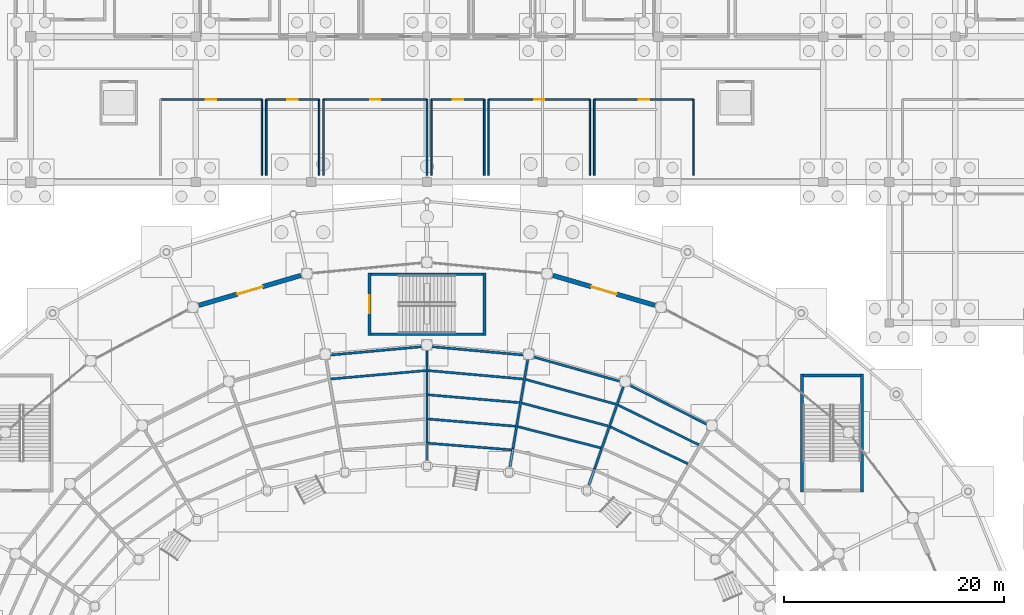
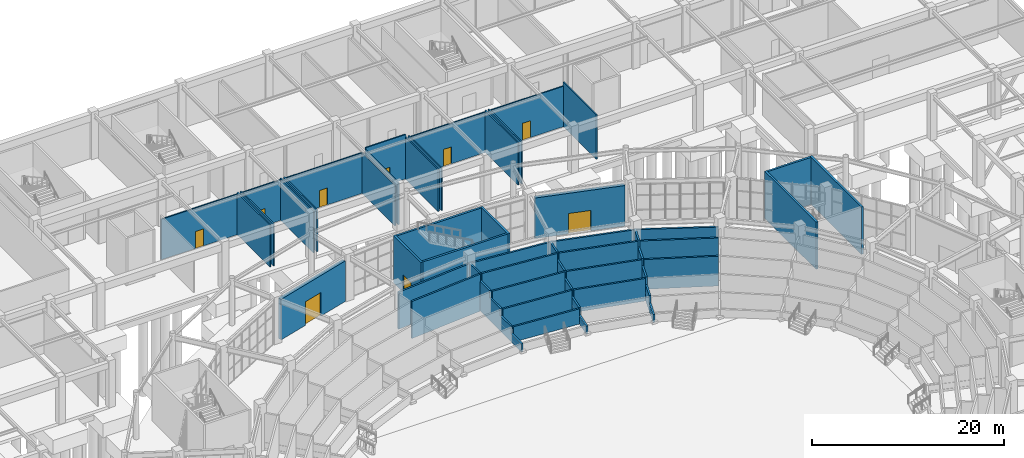
# One storey, part 89 of 121: 43 walls, 9 doors, 9 openings.
"""IFC4 building model written with IfcOpenShell, lengths in metres."""

from ifc_helpers import new_model, si_unit, direction, frame, frame_2d, origin, place, context, subcontext, project, spatial, polyline, rectangle, outline, extrude, material, layer, layer_set, type_object, element, fill, save


model = new_model("IFC4")

# Units and contexts
model_context = context("Model", 3, precision=1e-05, world=origin(), true_north=direction((0.0, 1.0)))
body_context = subcontext(model_context, "Body", "Model", "MODEL_VIEW")
ifc_project = project(units=[si_unit("LENGTHUNIT", "METRE"), si_unit("AREAUNIT", "SQUARE_METRE"), si_unit("VOLUMEUNIT", "CUBIC_METRE"), si_unit("PLANEANGLEUNIT", "RADIAN"), si_unit("MASSUNIT", "GRAM", prefix="KILO")], contexts=[model_context])

# Site, building, storey
site_placement = place(None, origin())
site = spatial("IfcSite", under=ifc_project, at=site_placement, CompositionType="ELEMENT")
building_placement = place(site_placement, origin())
building = spatial("IfcBuilding", under=site, at=building_placement, Name="Cuetzalor Civic Arena", CompositionType="ELEMENT")
storey_placement = place(building_placement, origin())
storey = spatial("IfcBuildingStorey", under=building, at=storey_placement, Name="L00", CompositionType="ELEMENT", Elevation=0.0)

# Wall, opening, door
ifc_material_1 = material(Name="Acoustic steel-stud gypsum partition", Category="steel")
ifc_layer_1 = layer(ifc_material_1, 0.14990234375)
ifc_layer_set_1 = layer_set([ifc_layer_1], Name="Acoustic steel-stud gypsum partition")
wall_type_1 = type_object("IfcWallType", Name="AcousticGypsumPartition_150", PredefinedType="PARTITIONING", material=ifc_layer_set_1)
wall_1_placement = place(storey_placement, frame((-24.199951171875, 55.800048828125, 0.0), z_axis=(0.0, 0.0, 1.0), x_axis=(1.0, 0.0, 0.0)))
wall_1 = element("IfcWall", 1, at=wall_1_placement, inside=storey, type_object=wall_type_1, Name="Interior Partition IWALL:L00:0152", PredefinedType="PARTITIONING", context=body_context, shape_type="SweptSolid", body=[
    extrude(rectangle(XDim=9.199951171875, YDim=0.14990234375, at=frame_2d((4.60009765625, 0.0))), origin(), (0.0, 0.0, 1.0), 5.14208984375),
])
opening_1_placement = place(wall_1_placement, frame((4.125, 0.0, 0.0)))
opening_1 = element("IfcOpeningElement", 2, at=opening_1_placement, cuts=wall_1, Name="Opening ID-03", PredefinedType="OPENING", context=body_context, shape_type="SweptSolid", body=[
    extrude(rectangle(XDim=0.949951171875, YDim=2.14990234375, at=frame_2d((0.47509765625, 1.074951171875))), frame((0.0, 0.0849609375, 0.0), z_axis=(0.0, -1.0, 0.0), x_axis=(1.0, 0.0, 0.0)), (0.0, 0.0, 1.0), 0.169921875),
])
ifc_material_2 = material(Name="Painted steel frame and solid timber leaf", Category="steel")
door_type_1 = type_object("IfcDoorType", Name="InteriorSingleDoor_950x2150", OperationType="NOTDEFINED", PredefinedType="DOOR", material=ifc_material_2)
door_1_placement = place(opening_1_placement, origin())
door_1 = element("IfcDoor", 3, at=door_1_placement, inside=storey, type_object=door_type_1, Name="Door to Performer Dressing Suite 1", OperationType="SINGLE_SWING_RIGHT", OverallHeight=2.14990234375, OverallWidth=0.949951171875, PredefinedType="DOOR", context=body_context, shape_type="SweptSolid", body=[
    extrude(rectangle(XDim=0.949951171875, YDim=2.14990234375, at=frame_2d((0.47509765625, 1.074951171875))), frame((0.0, 0.02490234375, 0.0), z_axis=(0.0, -1.0, 0.0), x_axis=(1.0, 0.0, 0.0)), (0.0, 0.0, 1.0), 0.050048828125),
])
fill(opening_1, door_1)

# Wall
wall_2_placement = place(storey_placement, frame((-15.0, 55.800048828125, 0.0), z_axis=(0.0, 0.0, 1.0), x_axis=(0.0, -1.0, 0.0)))
element("IfcWall", 4, at=wall_2_placement, inside=storey, type_object=wall_type_1, Name="Interior Partition IWALL:L00:0153", PredefinedType="PARTITIONING", context=body_context, shape_type="SweptSolid", body=[
    extrude(rectangle(XDim=6.900146484375, YDim=0.14990234375, at=frame_2d((3.4501953125, 0.0))), origin(), (0.0, 0.0, 1.0), 5.320068359375),
])

# Wall, opening, door
wall_3_placement = place(storey_placement, frame((-14.60009765625, 55.800048828125, 0.0), z_axis=(0.0, 0.0, 1.0), x_axis=(1.0, 0.0, 0.0)))
wall_3 = element("IfcWall", 5, at=wall_3_placement, inside=storey, type_object=wall_type_1, Name="Interior Partition IWALL:L00:0155", PredefinedType="PARTITIONING", context=body_context, shape_type="SweptSolid", body=[
    extrude(rectangle(XDim=4.800048828125, YDim=0.14990234375, at=frame_2d((2.39990234375, 0.0))), origin(), (0.0, 0.0, 1.0), 5.14208984375),
])
opening_2_placement = place(wall_3_placement, frame((1.925048828125, 0.0, 0.0)))
opening_2 = element("IfcOpeningElement", 6, at=opening_2_placement, cuts=wall_3, Name="Opening ID-03", PredefinedType="OPENING", context=body_context, shape_type="SweptSolid", body=[
    extrude(rectangle(XDim=0.949951171875, YDim=2.14990234375, at=frame_2d((0.47509765625, 1.074951171875))), frame((0.0, 0.0849609375, 0.0), z_axis=(0.0, -1.0, 0.0), x_axis=(1.0, 0.0, 0.0)), (0.0, 0.0, 1.0), 0.169921875),
])
door_2_placement = place(opening_2_placement, origin())
door_2 = element("IfcDoor", 7, at=door_2_placement, inside=storey, type_object=door_type_1, Name="Door to Dressing En-Suite WC 1", OperationType="SINGLE_SWING_LEFT", OverallHeight=2.14990234375, OverallWidth=0.949951171875, PredefinedType="DOOR", context=body_context, shape_type="SweptSolid", body=[
    extrude(rectangle(XDim=0.949951171875, YDim=2.14990234375, at=frame_2d((0.47509765625, 1.074951171875))), frame((0.0, 0.02490234375, 0.0), z_axis=(0.0, -1.0, 0.0), x_axis=(1.0, 0.0, 0.0)), (0.0, 0.0, 1.0), 0.050048828125),
])
fill(opening_2, door_2)

# Walls
for number, where, z_axis, x_axis, name in (
    (8, (-9.800048828125, 55.800048828125, 0.0), (0.0, 0.0, 1.0), (0.0, -1.0, 0.0), "Interior Partition IWALL:L00:0156"),
    (9, (-14.60009765625, 48.89990234375, 0.0), (0.0, 0.0, 1.0), (0.0, 1.0, 0.0), "Interior Partition IWALL:L00:0157"),
):
    element("IfcWall", number, at=place(storey_placement, frame(where, z_axis=z_axis, x_axis=x_axis)), inside=storey, type_object=wall_type_1, Name=name, PredefinedType="PARTITIONING", context=body_context, shape_type="SweptSolid", body=[
        extrude(rectangle(XDim=6.900146484375, YDim=0.14990234375, at=frame_2d((3.4501953125, 0.0))), origin(), (0.0, 0.0, 1.0), 5.320068359375),
    ])

# Wall, opening, door
wall_4_placement = place(storey_placement, frame((-9.39990234375, 55.800048828125, 0.0), z_axis=(0.0, 0.0, 1.0), x_axis=(1.0, 0.0, 0.0)))
wall_4 = element("IfcWall", 10, at=wall_4_placement, inside=storey, type_object=wall_type_1, Name="Interior Partition IWALL:L00:0158", PredefinedType="PARTITIONING", context=body_context, shape_type="SweptSolid", body=[
    extrude(rectangle(XDim=9.39990234375, YDim=0.14990234375, at=frame_2d((4.699951171875, 0.0))), origin(), (0.0, 0.0, 1.0), 5.14208984375),
])
opening_3_placement = place(wall_4_placement, frame((4.22509765625, 0.0, 0.0)))
opening_3 = element("IfcOpeningElement", 11, at=opening_3_placement, cuts=wall_4, Name="Opening ID-03", PredefinedType="OPENING", context=body_context, shape_type="SweptSolid", body=[
    extrude(rectangle(XDim=0.949951171875, YDim=2.14990234375, at=frame_2d((0.47509765625, 1.074951171875))), frame((0.0, 0.0849609375, 0.0), z_axis=(0.0, -1.0, 0.0), x_axis=(1.0, 0.0, 0.0)), (0.0, 0.0, 1.0), 0.169921875),
])
door_3_placement = place(opening_3_placement, origin())
door_3 = element("IfcDoor", 12, at=door_3_placement, inside=storey, type_object=door_type_1, Name="Door to Performer Dressing Suite 2", OperationType="SINGLE_SWING_RIGHT", OverallHeight=2.14990234375, OverallWidth=0.949951171875, PredefinedType="DOOR", context=body_context, shape_type="SweptSolid", body=[
    extrude(rectangle(XDim=0.949951171875, YDim=2.14990234375, at=frame_2d((0.47509765625, 1.074951171875))), frame((0.0, 0.02490234375, 0.0), z_axis=(0.0, -1.0, 0.0), x_axis=(1.0, 0.0, 0.0)), (0.0, 0.0, 1.0), 0.050048828125),
])
fill(opening_3, door_3)

# Walls
wall_5_placement = place(storey_placement, frame((0.0, 55.800048828125, 0.0), z_axis=(0.0, 0.0, 1.0), x_axis=(0.0, -1.0, 0.0)))
element("IfcWall", 13, at=wall_5_placement, inside=storey, type_object=wall_type_1, Name="Interior Partition IWALL:L00:0159", PredefinedType="PARTITIONING", context=body_context, shape_type="SweptSolid", body=[
    extrude(rectangle(XDim=6.900146484375, YDim=0.14990234375, at=frame_2d((3.4501953125, 0.0))), origin(), (0.0, 0.0, 1.0), 5.14208984375),
])
wall_6_placement = place(storey_placement, frame((-9.39990234375, 48.89990234375, 0.0), z_axis=(0.0, 0.0, 1.0), x_axis=(0.0, 1.0, 0.0)))
element("IfcWall", 14, at=wall_6_placement, inside=storey, type_object=wall_type_1, Name="Interior Partition IWALL:L00:0160", PredefinedType="PARTITIONING", context=body_context, shape_type="SweptSolid", body=[
    extrude(rectangle(XDim=6.900146484375, YDim=0.14990234375, at=frame_2d((3.4501953125, 0.0))), origin(), (0.0, 0.0, 1.0), 5.320068359375),
])

# Wall, opening, door
wall_7_placement = place(storey_placement, frame((0.39990234375, 55.800048828125, 0.0), z_axis=(0.0, 0.0, 1.0), x_axis=(1.0, 0.0, 0.0)))
wall_7 = element("IfcWall", 15, at=wall_7_placement, inside=storey, type_object=wall_type_1, Name="Interior Partition IWALL:L00:0161", PredefinedType="PARTITIONING", context=body_context, shape_type="SweptSolid", body=[
    extrude(rectangle(XDim=4.800048828125, YDim=0.14990234375, at=frame_2d((2.39990234375, 0.0))), origin(), (0.0, 0.0, 1.0), 5.639892578125),
])
opening_4_placement = place(wall_7_placement, frame((1.925048828125, 0.0, 0.0)))
opening_4 = element("IfcOpeningElement", 16, at=opening_4_placement, cuts=wall_7, Name="Opening ID-03", PredefinedType="OPENING", context=body_context, shape_type="SweptSolid", body=[
    extrude(rectangle(XDim=0.949951171875, YDim=2.14990234375, at=frame_2d((0.47509765625, 1.074951171875))), frame((0.0, 0.0849609375, 0.0), z_axis=(0.0, -1.0, 0.0), x_axis=(1.0, 0.0, 0.0)), (0.0, 0.0, 1.0), 0.169921875),
])
door_4_placement = place(opening_4_placement, origin())
door_4 = element("IfcDoor", 17, at=door_4_placement, inside=storey, type_object=door_type_1, Name="Door to Dressing En-Suite WC 2", OperationType="SINGLE_SWING_LEFT", OverallHeight=2.14990234375, OverallWidth=0.949951171875, PredefinedType="DOOR", context=body_context, shape_type="SweptSolid", body=[
    extrude(rectangle(XDim=0.949951171875, YDim=2.14990234375, at=frame_2d((0.47509765625, 1.074951171875))), frame((0.0, 0.02490234375, 0.0), z_axis=(0.0, -1.0, 0.0), x_axis=(1.0, 0.0, 0.0)), (0.0, 0.0, 1.0), 0.050048828125),
])
fill(opening_4, door_4)

# Walls
for number, where, z_axis, x_axis, name in (
    (18, (5.199951171875, 55.800048828125, 0.0), (0.0, 0.0, 1.0), (0.0, -1.0, 0.0), "Interior Partition IWALL:L00:0162"),
    (19, (0.39990234375, 48.89990234375, 0.0), (0.0, 0.0, 1.0), (0.0, 1.0, 0.0), "Interior Partition IWALL:L00:0163"),
):
    element("IfcWall", number, at=place(storey_placement, frame(where, z_axis=z_axis, x_axis=x_axis)), inside=storey, type_object=wall_type_1, Name=name, PredefinedType="PARTITIONING", context=body_context, shape_type="SweptSolid", body=[
        extrude(rectangle(XDim=6.900146484375, YDim=0.14990234375, at=frame_2d((3.4501953125, 0.0))), origin(), (0.0, 0.0, 1.0), 5.320068359375),
    ])

# Wall, opening, door
wall_8_placement = place(storey_placement, frame((5.60009765625, 55.800048828125, 0.0), z_axis=(0.0, 0.0, 1.0), x_axis=(1.0, 0.0, 0.0)))
wall_8 = element("IfcWall", 20, at=wall_8_placement, inside=storey, type_object=wall_type_1, Name="Interior Partition IWALL:L00:0164", PredefinedType="PARTITIONING", context=body_context, shape_type="SweptSolid", body=[
    extrude(rectangle(XDim=9.199951171875, YDim=0.14990234375, at=frame_2d((4.60009765625, 0.0))), origin(), (0.0, 0.0, 1.0), 5.14208984375),
])
opening_5_placement = place(wall_8_placement, frame((4.125, 0.0, 0.0)))
opening_5 = element("IfcOpeningElement", 21, at=opening_5_placement, cuts=wall_8, Name="Opening ID-03", PredefinedType="OPENING", context=body_context, shape_type="SweptSolid", body=[
    extrude(rectangle(XDim=0.949951171875, YDim=2.14990234375, at=frame_2d((0.47509765625, 1.074951171875))), frame((0.0, 0.0849609375, 0.0), z_axis=(0.0, -1.0, 0.0), x_axis=(1.0, 0.0, 0.0)), (0.0, 0.0, 1.0), 0.169921875),
])
door_5_placement = place(opening_5_placement, origin())
door_5 = element("IfcDoor", 22, at=door_5_placement, inside=storey, type_object=door_type_1, Name="Door to Performer Green Room", OperationType="SINGLE_SWING_RIGHT", OverallHeight=2.14990234375, OverallWidth=0.949951171875, PredefinedType="DOOR", context=body_context, shape_type="SweptSolid", body=[
    extrude(rectangle(XDim=0.949951171875, YDim=2.14990234375, at=frame_2d((0.47509765625, 1.074951171875))), frame((0.0, 0.02490234375, 0.0), z_axis=(0.0, -1.0, 0.0), x_axis=(1.0, 0.0, 0.0)), (0.0, 0.0, 1.0), 0.050048828125),
])
fill(opening_5, door_5)

# Walls
for number, where, z_axis, x_axis, name in (
    (23, (14.800048828125, 55.800048828125, 0.0), (0.0, 0.0, 1.0), (0.0, -1.0, 0.0), "Interior Partition IWALL:L00:0165"),
    (24, (5.60009765625, 48.89990234375, 0.0), (0.0, 0.0, 1.0), (0.0, 1.0, 0.0), "Interior Partition IWALL:L00:0166"),
):
    element("IfcWall", number, at=place(storey_placement, frame(where, z_axis=z_axis, x_axis=x_axis)), inside=storey, type_object=wall_type_1, Name=name, PredefinedType="PARTITIONING", context=body_context, shape_type="SweptSolid", body=[
        extrude(rectangle(XDim=6.900146484375, YDim=0.14990234375, at=frame_2d((3.4501953125, 0.0))), origin(), (0.0, 0.0, 1.0), 5.320068359375),
    ])

# Wall, opening, door
wall_9_placement = place(storey_placement, frame((15.199951171875, 55.800048828125, 0.0), z_axis=(0.0, 0.0, 1.0), x_axis=(1.0, 0.0, 0.0)))
wall_9 = element("IfcWall", 25, at=wall_9_placement, inside=storey, type_object=wall_type_1, Name="Interior Partition IWALL:L00:0167", PredefinedType="PARTITIONING", context=body_context, shape_type="SweptSolid", body=[
    extrude(rectangle(XDim=9.0, YDim=0.14990234375, at=frame_2d((4.5, 0.0))), origin(), (0.0, 0.0, 1.0), 5.14208984375),
])
opening_6_placement = place(wall_9_placement, frame((4.02490234375, 0.0, 0.0)))
opening_6 = element("IfcOpeningElement", 26, at=opening_6_placement, cuts=wall_9, Name="Opening ID-03", PredefinedType="OPENING", context=body_context, shape_type="SweptSolid", body=[
    extrude(rectangle(XDim=0.949951171875, YDim=2.14990234375, at=frame_2d((0.47509765625, 1.074951171875))), frame((0.0, 0.0849609375, 0.0), z_axis=(0.0, -1.0, 0.0), x_axis=(1.0, 0.0, 0.0)), (0.0, 0.0, 1.0), 0.169921875),
])
door_6_placement = place(opening_6_placement, origin())
door_6 = element("IfcDoor", 27, at=door_6_placement, inside=storey, type_object=door_type_1, Name="Door to Staging and Rigging Marshalling", OperationType="SINGLE_SWING_LEFT", OverallHeight=2.14990234375, OverallWidth=0.949951171875, PredefinedType="DOOR", context=body_context, shape_type="SweptSolid", body=[
    extrude(rectangle(XDim=0.949951171875, YDim=2.14990234375, at=frame_2d((0.47509765625, 1.074951171875))), frame((0.0, 0.02490234375, 0.0), z_axis=(0.0, -1.0, 0.0), x_axis=(1.0, 0.0, 0.0)), (0.0, 0.0, 1.0), 0.050048828125),
])
fill(opening_6, door_6)

# Walls
wall_10_placement = place(storey_placement, frame((24.199951171875, 55.800048828125, 0.0), z_axis=(0.0, 0.0, 1.0), x_axis=(0.0, -1.0, 0.0)))
element("IfcWall", 28, at=wall_10_placement, inside=storey, type_object=wall_type_1, Name="Interior Partition IWALL:L00:0168", PredefinedType="PARTITIONING", context=body_context, shape_type="SweptSolid", body=[
    extrude(rectangle(XDim=6.900146484375, YDim=0.14990234375, at=frame_2d((3.4501953125, 0.0))), origin(), (0.0, 0.0, 1.0), 5.639892578125),
])
wall_11_placement = place(storey_placement, frame((15.199951171875, 48.89990234375, 0.0), z_axis=(0.0, 0.0, 1.0), x_axis=(0.0, 1.0, 0.0)))
element("IfcWall", 29, at=wall_11_placement, inside=storey, type_object=wall_type_1, Name="Interior Partition IWALL:L00:0169", PredefinedType="PARTITIONING", context=body_context, shape_type="SweptSolid", body=[
    extrude(rectangle(XDim=6.900146484375, YDim=0.14990234375, at=frame_2d((3.4501953125, 0.0))), origin(), (0.0, 0.0, 1.0), 5.320068359375),
])

# Wall, opening, door
ifc_material_3 = material(Name="Puebla cantera gris stone on Concrete C35/45", Category="masonry")
ifc_layer_2 = layer(ifc_material_3, 0.419921875)
ifc_layer_set_2 = layer_set([ifc_layer_2], Name="Puebla cantera gris stone on Concrete C35/45")
wall_type_2 = type_object("IfcWallType", Name="CanteraStoneArcadeWall_420", PredefinedType="SOLIDWALL", material=ifc_layer_set_2)
wall_12_placement = place(storey_placement, frame((11.451904296875, 39.8115234375, 0.0), z_axis=(0.0, 0.0, 1.0), x_axis=(0.95970445843, -0.281011303101, 0.0)))
wall_12 = element("IfcWall", 30, at=wall_12_placement, inside=storey, type_object=wall_type_2, Name="Drum Ground Colonnade Portal Wall L00-002", PredefinedType="SOLIDWALL", context=body_context, shape_type="SweptSolid", body=[
    extrude(rectangle(XDim=9.64892578125, YDim=0.419921875, at=frame_2d((4.824462890625, 0.0))), origin(), (0.0, 0.0, 1.0), 5.156982421875),
])
opening_7_placement = place(wall_12_placement, frame((3.62451171875, 0.0, 0.0)))
opening_7 = element("IfcOpeningElement", 31, at=opening_7_placement, cuts=wall_12, Name="Opening ED-08", PredefinedType="OPENING", context=body_context, shape_type="SweptSolid", body=[
    extrude(rectangle(XDim=2.39990234375, YDim=2.60009765625, at=frame_2d((1.199951171875, 1.300048828125))), frame((0.0, 0.219970703125, 0.0), z_axis=(0.0, -1.0, 0.0), x_axis=(1.0, 0.0, 0.0)), (0.0, 0.0, 1.0), 0.43994140625),
])
ifc_material_4 = material(Name="Thermally broken bronze steel and laminated glass", Category="steel")
door_type_2 = type_object("IfcDoorType", Name="PedestrianExitPortal_2400x2600", OperationType="DOUBLE_DOOR_SINGLE_SWING", PredefinedType="DOOR", material=ifc_material_4)
door_7_placement = place(opening_7_placement, origin())
door_7 = element("IfcDoor", 32, at=door_7_placement, inside=storey, type_object=door_type_2, Name="Pedestrian exit gate G02", OperationType="DOUBLE_DOOR_SINGLE_SWING", OverallHeight=2.60009765625, OverallWidth=2.39990234375, PredefinedType="DOOR", context=body_context, shape_type="SweptSolid", body=[
    extrude(rectangle(XDim=2.39990234375, YDim=2.60009765625, at=frame_2d((1.199951171875, 1.300048828125))), frame((0.0, 0.02490234375, 0.0), z_axis=(0.0, -1.0, 0.0), x_axis=(1.0, 0.0, 0.0)), (0.0, 0.0, 1.0), 0.050048828125),
])
fill(opening_7, door_7)

wall_13_placement = place(storey_placement, frame((-20.7119140625, 37.10009765625, 0.0), z_axis=(0.0, 0.0, 1.0), x_axis=(0.95970445843, 0.281011303101, 0.0)))
wall_13 = element("IfcWall", 33, at=wall_13_placement, inside=storey, type_object=wall_type_2, Name="Drum Ground Colonnade Portal Wall L00-003", PredefinedType="SOLIDWALL", context=body_context, shape_type="SweptSolid", body=[
    extrude(rectangle(XDim=9.64892578125, YDim=0.419921875, at=frame_2d((4.824462890625, 0.0))), origin(), (0.0, 0.0, 1.0), 5.156982421875),
])
opening_8_placement = place(wall_13_placement, frame((3.62451171875, 0.0, 0.0)))
opening_8 = element("IfcOpeningElement", 34, at=opening_8_placement, cuts=wall_13, Name="Opening ED-01", PredefinedType="OPENING", context=body_context, shape_type="SweptSolid", body=[
    extrude(rectangle(XDim=2.39990234375, YDim=3.0, at=frame_2d((1.199951171875, 1.5))), frame((0.0, 0.219970703125, 0.0), z_axis=(0.0, -1.0, 0.0), x_axis=(1.0, 0.0, 0.0)), (0.0, 0.0, 1.0), 0.43994140625),
])
ifc_material_5 = material(Name="Thermally broken bronze steel and laminated glass", Category="steel")
door_type_3 = type_object("IfcDoorType", Name="MainColonnadeEntrance_2400x3000", OperationType="DOUBLE_DOOR_SINGLE_SWING", PredefinedType="DOOR", material=ifc_material_5)
door_8_placement = place(opening_8_placement, origin())
door_8 = element("IfcDoor", 35, at=door_8_placement, inside=storey, type_object=door_type_3, Name="Pedestrian exit gate G03", OperationType="DOUBLE_DOOR_SINGLE_SWING", OverallHeight=3.0, OverallWidth=2.39990234375, PredefinedType="DOOR", context=body_context, shape_type="SweptSolid", body=[
    extrude(rectangle(XDim=2.39990234375, YDim=3.0, at=frame_2d((1.199951171875, 1.5))), frame((0.0, 0.02490234375, 0.0), z_axis=(0.0, -1.0, 0.0), x_axis=(1.0, 0.0, 0.0)), (0.0, 0.0, 1.0), 0.050048828125),
])
fill(opening_8, door_8)

# Walls
ifc_material_6 = material(Name="Concrete C40/50", Category="concrete")
ifc_layer_3 = layer(ifc_material_6, 0.25)
ifc_layer_set_3 = layer_set([ifc_layer_3], Name="Concrete C40/50")
wall_type_3 = type_object("IfcWallType", Name="ConcreteCoreShearWall_250", PredefinedType="SHEAR", material=ifc_layer_set_3)
wall_14_placement = place(storey_placement, frame((34.074951171875, 20.14990234375, 0.0), z_axis=(0.0, 0.0, 1.0), x_axis=(0.0, 1.0, 0.0)))
element("IfcWall", 36, at=wall_14_placement, inside=storey, type_object=wall_type_3, Name="Stair Core Shear Wall ST-02-L00-W", PredefinedType="SHEAR", context=body_context, shape_type="SweptSolid", body=[
    extrude(rectangle(XDim=10.7001953125, YDim=0.25, at=frame_2d((5.35009765625, 0.0))), origin(), (0.0, 0.0, 1.0), 6.0),
])
wall_15_placement = place(storey_placement, frame((34.199951171875, 30.72509765625, 0.0), z_axis=(0.0, 0.0, 1.0), x_axis=(1.0, 0.0, 0.0)))
element("IfcWall", 37, at=wall_15_placement, inside=storey, type_object=wall_type_3, Name="Stair Core Shear Wall ST-02-L00-N", PredefinedType="SHEAR", context=body_context, shape_type="SweptSolid", body=[
    extrude(rectangle(XDim=5.199951171875, YDim=0.25, at=frame_2d((2.60009765625, 0.0))), origin(), (0.0, 0.0, 1.0), 6.0),
])
wall_16_placement = place(storey_placement, frame((39.52490234375, 30.85009765625, 0.0), z_axis=(0.0, 0.0, 1.0), x_axis=(0.0, -1.0, 0.0)))
element("IfcWall", 38, at=wall_16_placement, inside=storey, type_object=wall_type_3, Name="Stair Core Shear Wall ST-02-L00-E", PredefinedType="SHEAR", context=body_context, shape_type="SweptSolid", body=[
    extrude(rectangle(XDim=10.7001953125, YDim=0.25, at=frame_2d((5.35009765625, 0.0))), origin(), (0.0, 0.0, 1.0), 6.0),
])

# Wall, opening, door
wall_17_placement = place(storey_placement, frame((-5.22509765625, 34.35009765625, 0.0), z_axis=(0.0, 0.0, 1.0), x_axis=(0.0, 1.0, 0.0)))
wall_17 = element("IfcWall", 39, at=wall_17_placement, inside=storey, type_object=wall_type_3, Name="Stair Core Shear Wall ST-03-L00-W", PredefinedType="SHEAR", context=body_context, shape_type="SweptSolid", body=[
    extrude(rectangle(XDim=5.699951171875, YDim=0.25, at=frame_2d((2.85009765625, 0.0))), origin(), (0.0, 0.0, 1.0), 6.0),
])
opening_9_placement = place(wall_17_placement, frame((2.02490234375, 0.0, 0.0)))
opening_9 = element("IfcOpeningElement", 40, at=opening_9_placement, cuts=wall_17, Name="Opening FD-04", PredefinedType="OPENING", context=body_context, shape_type="SweptSolid", body=[
    extrude(rectangle(XDim=1.64990234375, YDim=2.199951171875, at=frame_2d((0.824951171875, 1.10009765625))), frame((0.0, 0.135009765625, 0.0), z_axis=(0.0, -1.0, 0.0), x_axis=(1.0, 0.0, 0.0)), (0.0, 0.0, 1.0), 0.27001953125),
])
ifc_material_7 = material(Name="Fire-rated steel stair exit double door", Category="steel")
door_type_4 = type_object("IfcDoorType", Name="StairFireDoubleDoor_1650x2200", OperationType="DOUBLE_DOOR_SINGLE_SWING", PredefinedType="DOOR", material=ifc_material_7)
door_9_placement = place(opening_9_placement, origin())
door_9 = element("IfcDoor", 41, at=door_9_placement, inside=storey, type_object=door_type_4, Name="Fire Stair Door ST-03 L00", OperationType="DOUBLE_DOOR_SINGLE_SWING", OverallHeight=2.199951171875, OverallWidth=1.64990234375, PredefinedType="DOOR", context=body_context, shape_type="SweptSolid", body=[
    extrude(rectangle(XDim=1.64990234375, YDim=2.199951171875, at=frame_2d((0.824951171875, 1.10009765625))), frame((0.0, 0.02490234375, 0.0), z_axis=(0.0, -1.0, 0.0), x_axis=(1.0, 0.0, 0.0)), (0.0, 0.0, 1.0), 0.050048828125),
])
fill(opening_9, door_9)

# Walls
wall_18_placement = place(storey_placement, frame((-5.10009765625, 39.925048828125, 0.0), z_axis=(0.0, 0.0, 1.0), x_axis=(1.0, 0.0, 0.0)))
element("IfcWall", 42, at=wall_18_placement, inside=storey, type_object=wall_type_3, Name="Stair Core Shear Wall ST-03-L00-N", PredefinedType="SHEAR", context=body_context, shape_type="SweptSolid", body=[
    extrude(rectangle(XDim=10.2001953125, YDim=0.25, at=frame_2d((5.10009765625, 0.0))), origin(), (0.0, 0.0, 1.0), 6.0),
])
wall_19_placement = place(storey_placement, frame((5.22509765625, 40.050048828125, 0.0), z_axis=(0.0, 0.0, 1.0), x_axis=(0.0, -1.0, 0.0)))
element("IfcWall", 43, at=wall_19_placement, inside=storey, type_object=wall_type_3, Name="Stair Core Shear Wall ST-03-L00-E", PredefinedType="SHEAR", context=body_context, shape_type="SweptSolid", body=[
    extrude(rectangle(XDim=5.699951171875, YDim=0.25, at=frame_2d((2.85009765625, 0.0))), origin(), (0.0, 0.0, 1.0), 6.0),
])
wall_20_placement = place(storey_placement, frame((5.10009765625, 34.47509765625, 0.0), z_axis=(0.0, 0.0, 1.0), x_axis=(-1.0, 0.0, 0.0)))
element("IfcWall", 44, at=wall_20_placement, inside=storey, type_object=wall_type_3, Name="Stair Core Shear Wall ST-03-L00-S", PredefinedType="SHEAR", context=body_context, shape_type="SweptSolid", body=[
    extrude(rectangle(XDim=10.2001953125, YDim=0.25, at=frame_2d((5.10009765625, 0.0))), origin(), (0.0, 0.0, 1.0), 6.0),
])
ifc_material_8 = material(Name="Precast concrete C40/50", Category="concrete")
ifc_layer_4 = layer(ifc_material_8, 0.2099609375)
ifc_layer_set_4 = layer_set([ifc_layer_4], Name="Precast concrete C40/50")
wall_type_4 = type_object("IfcWallType", Name="PrecastBowlRiserWall_210", PredefinedType="SHEAR", material=ifc_layer_set_4)
wall_21_placement = place(storey_placement, frame((23.707275390625, 22.7041015625, 0.0), z_axis=(0.0, 0.0, 1.0), x_axis=(-0.902599567241, 0.430481150827, 0.0)))
element("IfcWall", 45, at=wall_21_placement, inside=storey, type_object=wall_type_4, Name="Lower Bowl Riser Support Wall S05-R3", PredefinedType="SHEAR", context=body_context, shape_type="SweptSolid", body=[
    extrude(rectangle(XDim=7.804443359375, YDim=0.2099609375, at=frame_2d((3.90234375, 0.0))), origin(), (0.0, 0.0, 1.0), 3.780029296875),
])
wall_22_placement = place(storey_placement, frame((24.70556640625, 24.42529296875, 0.0), z_axis=(0.0, 0.0, 1.0), x_axis=(-0.897111072501, 0.441805074209, 0.0)))
element("IfcWall", 46, at=wall_22_placement, inside=storey, type_object=wall_type_4, Name="Lower Bowl Riser Support Wall S05-R4", PredefinedType="SHEAR", context=body_context, shape_type="SweptSolid", body=[
    extrude(rectangle(XDim=8.191650390625, YDim=0.2099609375, at=frame_2d((4.095703125, 0.0))), origin(), (0.0, 0.0, 1.0), 4.699951171875),
])
wall_23_placement = place(storey_placement, frame((25.70361328125, 26.146240234375, 0.0), z_axis=(0.0, 0.0, 1.0), x_axis=(-0.891966782811, 0.452100938244, 0.0)))
element("IfcWall", 47, at=wall_23_placement, inside=storey, type_object=wall_type_4, Name="Lower Bowl Riser Support Wall S05-R5", PredefinedType="SHEAR", context=body_context, shape_type="SweptSolid", body=[
    extrude(rectangle(XDim=8.580322265625, YDim=0.2099609375, at=frame_2d((4.2900390625, 0.0))), origin(), (0.0, 0.0, 1.0), 4.699951171875),
])
wall_24_placement = place(storey_placement, frame((14.53515625, 20.271728515625, 0.0), z_axis=(0.0, 0.0, 1.0), x_axis=(0.33053164726, 0.94379490895, 0.0)))
element("IfcWall", 48, at=wall_24_placement, inside=storey, type_object=wall_type_4, Name="Lower Bowl Radial Carrier Wall S06", PredefinedType="SHEAR", context=body_context, shape_type="SweptSolid", body=[
    extrude(outline(polyline([(0.0, 0.0), (10.501220703125, 0.0), (10.5009765625, 4.699951171875), (8.410888671875, 4.699951171875), (8.40087890625, 3.780029296875), (6.310546875, 3.780029296875), (6.300537109375, 2.860107421875), (4.21044921875, 2.860107421875), (4.200439453125, 1.93994140625), (2.110107421875, 1.93994140625), (2.10009765625, 1.02001953125), (0.0, 1.02001953125), (0.0, 0.0)])), frame((0.0, 0.10498046875, 0.0), z_axis=(0.0, -1.0, 0.0), x_axis=(1.0, 0.0, 0.0)), (0.0, 0.0, 1.0), 0.2099609375),
])
wall_25_placement = place(storey_placement, frame((15.766845703125, 24.15478515625, 0.0), z_axis=(0.0, 0.0, 1.0), x_axis=(-0.968720668809, 0.248153714102, 0.0)))
element("IfcWall", 49, at=wall_25_placement, inside=storey, type_object=wall_type_4, Name="Lower Bowl Riser Support Wall S06-R2", PredefinedType="SHEAR", context=body_context, shape_type="SweptSolid", body=[
    extrude(rectangle(XDim=7.765380859375, YDim=0.2099609375, at=frame_2d((3.8828125, 0.0))), origin(), (0.0, 0.0, 1.0), 2.860107421875),
])
wall_26_placement = place(storey_placement, frame((16.461181640625, 26.1376953125, 0.0), z_axis=(0.0, 0.0, 1.0), x_axis=(-0.966491526887, 0.25669851666, 0.0)))
element("IfcWall", 50, at=wall_26_placement, inside=storey, type_object=wall_type_4, Name="Lower Bowl Riser Support Wall S06-R3", PredefinedType="SHEAR", context=body_context, shape_type="SweptSolid", body=[
    extrude(rectangle(XDim=8.133544921875, YDim=0.2099609375, at=frame_2d((4.06689453125, 0.0))), origin(), (0.0, 0.0, 1.0), 3.780029296875),
])
wall_27_placement = place(storey_placement, frame((17.15576171875, 28.120849609375, 0.0), z_axis=(0.0, 0.0, 1.0), x_axis=(-0.964389789843, 0.264485034069, 0.0)))
element("IfcWall", 51, at=wall_27_placement, inside=storey, type_object=wall_type_4, Name="Lower Bowl Riser Support Wall S06-R4", PredefinedType="SHEAR", context=body_context, shape_type="SweptSolid", body=[
    extrude(rectangle(XDim=8.50244140625, YDim=0.2099609375, at=frame_2d((4.251220703125, 0.0))), origin(), (0.0, 0.0, 1.0), 4.699951171875),
])
wall_28_placement = place(storey_placement, frame((17.85009765625, 30.103515625, 0.0), z_axis=(0.0, 0.0, 1.0), x_axis=(-0.962386234361, 0.271684993905, 0.0)))
element("IfcWall", 52, at=wall_28_placement, inside=storey, type_object=wall_type_4, Name="Lower Bowl Riser Support Wall S06-R5", PredefinedType="SHEAR", context=body_context, shape_type="SweptSolid", body=[
    extrude(rectangle(XDim=8.8720703125, YDim=0.2099609375, at=frame_2d((4.43603515625, 0.0))), origin(), (0.0, 0.0, 1.0), 4.699951171875),
])
wall_29_placement = place(storey_placement, frame((7.45458984375, 21.935791015625, 0.0), z_axis=(0.0, 0.0, 1.0), x_axis=(0.163739783963, 0.986503564691, 0.0)))
element("IfcWall", 53, at=wall_29_placement, inside=storey, type_object=wall_type_4, Name="Lower Bowl Radial Carrier Wall S07", PredefinedType="SHEAR", context=body_context, shape_type="SweptSolid", body=[
    extrude(outline(polyline([(0.0, 0.0), (10.87109375, 0.0), (10.870849609375, 4.699951171875), (8.706787109375, 4.699951171875), (8.69677734375, 3.780029296875), (6.532470703125, 3.780029296875), (6.5224609375, 2.860107421875), (4.3583984375, 2.860107421875), (4.348388671875, 1.93994140625), (2.18408203125, 1.93994140625), (2.17431640625, 1.02001953125), (0.0, 1.02001953125), (0.0, 0.0)])), frame((0.0, 0.10498046875, 0.0), z_axis=(0.0, -1.0, 0.0), x_axis=(1.0, 0.0, 0.0)), (0.0, 0.0, 1.0), 0.2099609375),
])
wall_30_placement = place(storey_placement, frame((7.676025390625, 23.97216796875, 0.0), z_axis=(0.0, 0.0, 1.0), x_axis=(-0.996878864227, 0.07894637457, 0.0)))
element("IfcWall", 54, at=wall_30_placement, inside=storey, type_object=wall_type_4, Name="Lower Bowl Riser Support Wall S07-R1", PredefinedType="SHEAR", context=body_context, shape_type="SweptSolid", body=[
    extrude(rectangle(XDim=7.592041015625, YDim=0.2099609375, at=frame_2d((3.7958984375, 0.0))), origin(), (0.0, 0.0, 1.0), 1.93994140625),
])
wall_31_placement = place(storey_placement, frame((8.0322265625, 26.117431640625, 0.0), z_axis=(0.0, 0.0, 1.0), x_axis=(-0.996616331172, 0.08219421173, 0.0)))
element("IfcWall", 55, at=wall_31_placement, inside=storey, type_object=wall_type_4, Name="Lower Bowl Riser Support Wall S07-R2", PredefinedType="SHEAR", context=body_context, shape_type="SweptSolid", body=[
    extrude(rectangle(XDim=7.951416015625, YDim=0.2099609375, at=frame_2d((3.9755859375, 0.0))), origin(), (0.0, 0.0, 1.0), 2.860107421875),
])
wall_32_placement = place(storey_placement, frame((8.38818359375, 28.2626953125, 0.0), z_axis=(0.0, 0.0, 1.0), x_axis=(-0.99636455298, 0.085192004117, 0.0)))
element("IfcWall", 56, at=wall_32_placement, inside=storey, type_object=wall_type_4, Name="Lower Bowl Riser Support Wall S07-R3", PredefinedType="SHEAR", context=body_context, shape_type="SweptSolid", body=[
    extrude(rectangle(XDim=8.310791015625, YDim=0.2099609375, at=frame_2d((4.1552734375, 0.0))), origin(), (0.0, 0.0, 1.0), 3.780029296875),
])
wall_33_placement = place(storey_placement, frame((8.744384765625, 30.40771484375, 0.0), z_axis=(0.0, 0.0, 1.0), x_axis=(-0.996123466493, 0.087966127016, 0.0)))
element("IfcWall", 57, at=wall_33_placement, inside=storey, type_object=wall_type_4, Name="Lower Bowl Riser Support Wall S07-R4", PredefinedType="SHEAR", context=body_context, shape_type="SweptSolid", body=[
    extrude(rectangle(XDim=8.67041015625, YDim=0.2099609375, at=frame_2d((4.335205078125, 0.0))), origin(), (0.0, 0.0, 1.0), 4.699951171875),
])
wall_34_placement = place(storey_placement, frame((9.100341796875, 32.552978515625, 0.0), z_axis=(0.0, 0.0, 1.0), x_axis=(-0.995896973117, 0.090494303335, 0.0)))
element("IfcWall", 58, at=wall_34_placement, inside=storey, type_object=wall_type_4, Name="Lower Bowl Riser Support Wall S07-R5", PredefinedType="SHEAR", context=body_context, shape_type="SweptSolid", body=[
    extrude(rectangle(XDim=9.02978515625, YDim=0.2099609375, at=frame_2d((4.514892578125, 0.0))), origin(), (0.0, 0.0, 1.0), 4.699951171875),
])
wall_35_placement = place(storey_placement, frame((0.0, 22.5, 0.0), z_axis=(0.0, 0.0, 1.0), x_axis=(0.0, 1.0, 0.0)))
element("IfcWall", 59, at=wall_35_placement, inside=storey, type_object=wall_type_4, Name="Lower Bowl Radial Carrier Wall S08", PredefinedType="SHEAR", context=body_context, shape_type="SweptSolid", body=[
    extrude(outline(polyline([(0.0, 0.0), (11.0, 0.0), (11.0, 4.699951171875), (8.81005859375, 4.699951171875), (8.800048828125, 3.780029296875), (6.610107421875, 3.780029296875), (6.60009765625, 2.860107421875), (4.409912109375, 2.860107421875), (4.39990234375, 1.93994140625), (2.2099609375, 1.93994140625), (2.199951171875, 1.02001953125), (0.0, 1.02001953125), (0.0, 0.0)])), frame((0.0, 0.10498046875, 0.0), z_axis=(0.0, -1.0, 0.0), x_axis=(1.0, 0.0, 0.0)), (0.0, 0.0, 1.0), 0.2099609375),
])
wall_36_placement = place(storey_placement, frame((-0.107666015625, 31.17041015625, 0.0), z_axis=(0.0, 0.0, 1.0), x_axis=(-0.996123466493, -0.087966127016, 0.0)))
element("IfcWall", 60, at=wall_36_placement, inside=storey, type_object=wall_type_4, Name="Lower Bowl Riser Support Wall S08-R4", PredefinedType="SHEAR", context=body_context, shape_type="SweptSolid", body=[
    extrude(rectangle(XDim=8.67041015625, YDim=0.2099609375, at=frame_2d((4.335205078125, 0.0))), origin(), (0.0, 0.0, 1.0), 4.699951171875),
])
wall_37_placement = place(storey_placement, frame((-0.107666015625, 33.3701171875, 0.0), z_axis=(0.0, 0.0, 1.0), x_axis=(-0.995896973117, -0.090494303335, 0.0)))
element("IfcWall", 61, at=wall_37_placement, inside=storey, type_object=wall_type_4, Name="Lower Bowl Riser Support Wall S08-R5", PredefinedType="SHEAR", context=body_context, shape_type="SweptSolid", body=[
    extrude(rectangle(XDim=9.02978515625, YDim=0.2099609375, at=frame_2d((4.514892578125, 0.0))), origin(), (0.0, 0.0, 1.0), 4.699951171875),
])

save(model, "model.ifc")
